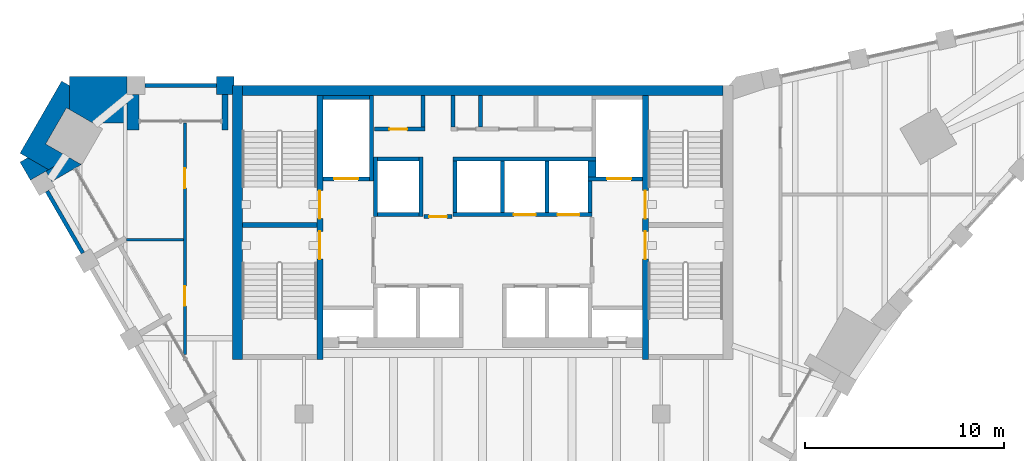
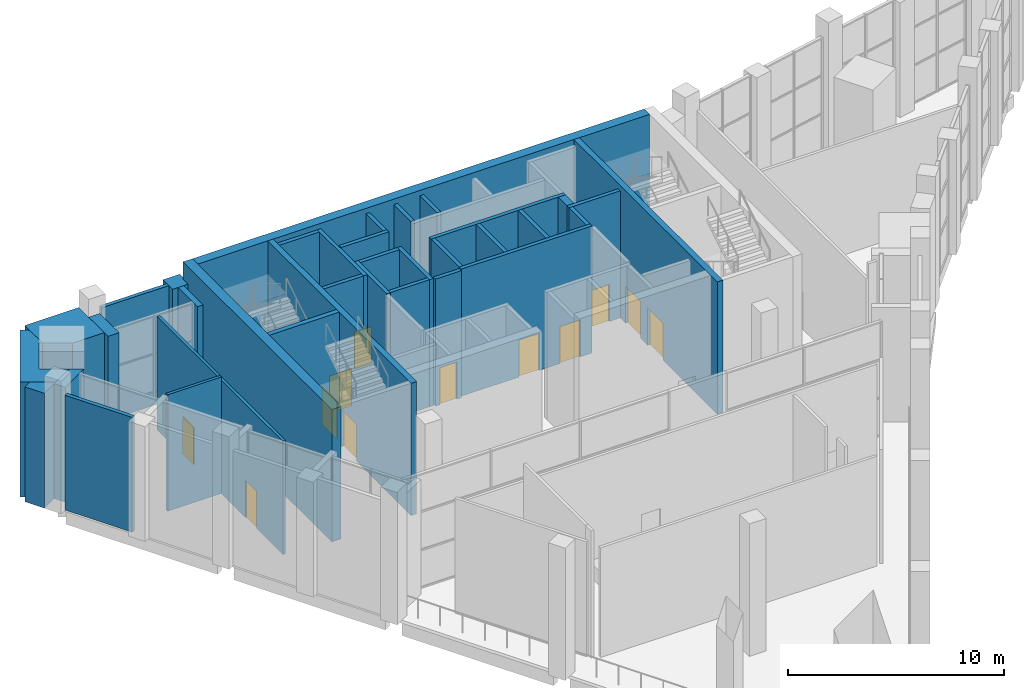
# One storey, part 10 of 14: 36 walls, 12 doors, 12 openings.
"""IFC4 building model written with IfcOpenShell, lengths in metres."""

from ifc_helpers import new_model, si_unit, direction, frame, frame_2d, origin, place, context, subcontext, project, spatial, polyline, rectangle, outline, extrude, material, layer, layer_set, type_object, element, fill, save


model = new_model("IFC4")

# Units and contexts
model_context = context("Model", 3, precision=1e-05, world=origin(), true_north=direction((0.0, 1.0)))
body_context = subcontext(model_context, "Body", "Model", "MODEL_VIEW")
ifc_project = project(units=[si_unit("LENGTHUNIT", "METRE"), si_unit("AREAUNIT", "SQUARE_METRE"), si_unit("VOLUMEUNIT", "CUBIC_METRE"), si_unit("PLANEANGLEUNIT", "RADIAN"), si_unit("MASSUNIT", "GRAM", prefix="KILO")], contexts=[model_context])

# Site, building, storey
site_placement = place(None, origin())
site = spatial("IfcSite", under=ifc_project, at=site_placement, CompositionType="ELEMENT")
building_placement = place(site_placement, origin())
building = spatial("IfcBuilding", under=site, at=building_placement, Name="Calabash Gate Tower", CompositionType="ELEMENT")
storey_placement = place(building_placement, frame((0.0, 0.0, 295.0)))
storey = spatial("IfcBuildingStorey", under=building, at=storey_placement, Name="L71", CompositionType="ELEMENT", Elevation=295.0)

# Walls
ifc_material_1 = material(Name="Terracotta brick masonry, exposed face", Category="masonry")
ifc_layer_1 = layer(ifc_material_1, 2.35009765625)
ifc_layer_set_1 = layer_set([ifc_layer_1], Name="Brick corner mass wall 2350")
wall_type_1 = type_object("IfcWallType", Name="Brick corner mass wall 2350", PredefinedType="SOLIDWALL", material=ifc_layer_set_1)
wall_1_placement = place(storey_placement, origin())
element("IfcWall", 1, at=wall_1_placement, inside=storey, type_object=wall_type_1, Name="Brick corner pier L71 2a", PredefinedType="SOLIDWALL", context=body_context, shape_type="SweptSolid", body=[
    extrude(outline(polyline([(-19.6171875, 17.152587890625), (-17.915771484375, 17.152587890625), (-17.915771484375, 18.60302734375), (-17.916015625, 18.60302734375), (-17.916015625, 19.50244140625), (-20.812744140625, 19.50244140625), (-20.812744140625, 17.8427734375), (-19.6171875, 17.152587890625)])), origin(), (0.0, 0.0, 1.0), 6.5),
])
wall_2_placement = place(storey_placement, origin())
element("IfcWall", 2, at=wall_2_placement, inside=storey, type_object=wall_type_1, Name="Brick corner pier L71 2b", PredefinedType="SOLIDWALL", context=body_context, shape_type="SweptSolid", body=[
    extrude(outline(polyline([(-20.957275390625, 17.92626953125), (-20.812744140625, 17.8427734375), (-20.812744140625, 19.052490234375), (-21.202392578125, 19.277587890625), (-23.301025390625, 15.64306640625), (-21.862548828125, 14.8125), (-20.813232421875, 15.418212890625), (-22.00732421875, 16.107666015625), (-20.957275390625, 17.92626953125)])), origin(), (0.0, 0.0, 1.0), 6.5),
])
wall_3_placement = place(storey_placement, origin())
element("IfcWall", 3, at=wall_3_placement, inside=storey, type_object=wall_type_1, Name="Brick corner pier L71 2c", PredefinedType="SOLIDWALL", context=body_context, shape_type="SweptSolid", body=[
    extrude(outline(polyline([(-21.997314453125, 14.734619140625), (-21.862548828125, 14.8125), (-22.9111328125, 15.41796875), (-23.301025390625, 15.19287109375), (-22.776611328125, 14.28466796875), (-21.997314453125, 14.734619140625), (-21.997314453125, 14.734619140625)])), origin(), (0.0, 0.0, 1.0), 6.5),
])
ifc_material_2 = material(Name="Terracotta brick masonry, exposed face", Category="masonry")
ifc_layer_2 = layer(ifc_material_2, 0.89990234375)
ifc_layer_set_2 = layer_set([ifc_layer_2], Name="Brick end wall 900")
wall_type_2 = type_object("IfcWallType", Name="Brick end wall 900", PredefinedType="SOLIDWALL", material=ifc_layer_set_2)
wall_4_placement = place(storey_placement, origin())
element("IfcWall", 4, at=wall_4_placement, inside=storey, type_object=wall_type_2, Name="Brick pier L71 N6.5", PredefinedType="SOLIDWALL", context=body_context, shape_type="SweptSolid", body=[
    extrude(outline(polyline([(-12.515625, 19.052490234375), (-12.515625, 19.50244140625), (-13.415771484375, 19.50244140625), (-13.415771484375, 18.6025390625), (-12.60009765625, 18.6025390625), (-12.60009765625, 19.052490234375), (-12.515625, 19.052490234375)])), origin(), (0.0, 0.0, 1.0), 6.5),
])
ifc_material_3 = material(Name="Terracotta brick masonry, exposed face", Category="masonry")
ifc_layer_3 = layer(ifc_material_3, 0.300048828125)
ifc_layer_set_3 = layer_set([ifc_layer_3], Name="Brick loggia cheek wall 300")
wall_type_3 = type_object("IfcWallType", Name="Brick loggia cheek wall 300", PredefinedType="SOLIDWALL", material=ifc_layer_set_3)
wall_5_placement = place(storey_placement, origin())
element("IfcWall", 5, at=wall_5_placement, inside=storey, type_object=wall_type_3, Name="Loggia cheek L71 SW0.0", PredefinedType="SOLIDWALL", context=body_context, shape_type="SweptSolid", body=[
    extrude(outline(polyline([(-21.9970703125, 14.73486328125), (-21.697265625, 14.215087890625), (-20.21337890625, 15.07177734375), (-20.813232421875, 15.418212890625), (-21.9970703125, 14.73486328125)])), origin(), (0.0, 0.0, 1.0), 6.5),
])
wall_6_placement = place(storey_placement, origin())
element("IfcWall", 6, at=wall_6_placement, inside=storey, type_object=wall_type_3, Name="Loggia cheek L71 N6.5", PredefinedType="SOLIDWALL", context=body_context, shape_type="SweptSolid", body=[
    extrude(outline(polyline([(-12.815673828125, 16.802490234375), (-12.815673828125, 18.6025390625), (-13.11572265625, 18.6025390625), (-13.11572265625, 16.802490234375), (-12.815673828125, 16.802490234375)])), origin(), (0.0, 0.0, 1.0), 6.5),
])
wall_7_placement = place(storey_placement, origin())
element("IfcWall", 7, at=wall_7_placement, inside=storey, type_object=wall_type_3, Name="Loggia cheek L71 N6.6", PredefinedType="SOLIDWALL", context=body_context, shape_type="SweptSolid", body=[
    extrude(outline(polyline([(-17.915771484375, 18.6025390625), (-17.915771484375, 16.802490234375), (-17.315673828125, 16.802490234375), (-17.315673828125, 18.6025390625), (-17.915771484375, 18.6025390625)])), origin(), (0.0, 0.0, 1.0), 6.5),
])
ifc_material_4 = material(Name="Gypsum board on steel studs, mineral wool", Category="steel")
ifc_layer_4 = layer(ifc_material_4, 0.199951171875)
ifc_layer_set_4 = layer_set([ifc_layer_4], Name="Core partition 200 gypsum board")
wall_type_4 = type_object("IfcWallType", Name="Core partition 200 gypsum board", PredefinedType="PARTITIONING", material=ifc_layer_set_4)
for number, where, z_axis, x_axis, name in (
    (8, (-3.0, 16.95263671875, 0.0), (0.0, 0.0, 1.0), (0.0, 1.0, 0.0), "Core partition"),
    (9, (-1.5, 16.95263671875, 0.0), (0.0, 0.0, 1.0), (0.0, 1.0, 0.0), "Core partition"),
    (10, (-0.10009765625, 16.95263671875, 0.0), (0.0, 0.0, 1.0), (0.0, 1.0, 0.0), "Core partition"),
):
    element("IfcWall", number, at=place(storey_placement, frame(where, z_axis=z_axis, x_axis=x_axis)), inside=storey, type_object=wall_type_4, Name=name, PredefinedType="PARTITIONING", context=body_context, shape_type="SweptSolid", body=[
        extrude(rectangle(XDim=1.599853515625, YDim=0.199951171875, at=frame_2d((0.7998046875, 0.0))), origin(), (0.0, 0.0, 1.0), 7.199951171875),
    ])
ifc_material_5 = material(Name="Concrete C60/75", Category="concrete")
ifc_layer_5 = layer(ifc_material_5, 0.25)
ifc_layer_set_5 = layer_set([ifc_layer_5], Name="Core wall 250 Concrete C60/75")
wall_type_5 = type_object("IfcWallType", Name="Core wall 250 Concrete C60/75", PredefinedType="SHEAR", material=ifc_layer_set_5)
wall_8_placement = place(storey_placement, frame((-12.10009765625, 12.027587890625, 0.0), z_axis=(0.0, 0.0, 1.0), x_axis=(1.0, 0.0, 0.0)))
element("IfcWall", 11, at=wall_8_placement, inside=storey, type_object=wall_type_5, Name="Core wall Z5-MIDW L71", PredefinedType="SHEAR", context=body_context, shape_type="SweptSolid", body=[
    extrude(rectangle(XDim=3.75, YDim=0.25, at=frame_2d((1.875, 0.0))), origin(), (0.0, 0.0, 1.0), 7.5),
])

# Wall, openings, doors
ifc_material_6 = material(Name="Concrete C60/75", Category="concrete")
ifc_layer_6 = layer(ifc_material_6, 0.300048828125)
ifc_layer_set_6 = layer_set([ifc_layer_6], Name="Core wall 300 Concrete C60/75")
wall_type_6 = type_object("IfcWallType", Name="Core wall 300 Concrete C60/75", PredefinedType="SHEAR", material=ifc_layer_set_6)
wall_9_placement = place(storey_placement, frame((-8.199951171875, 5.252685546875, 0.0), z_axis=(0.0, 0.0, 1.0), x_axis=(0.0, 1.0, 0.0)))
wall_9 = element("IfcWall", 12, at=wall_9_placement, inside=storey, type_object=wall_type_6, Name="Core wall Z5-PARTW L71", PredefinedType="SHEAR", context=body_context, shape_type="SweptSolid", body=[
    extrude(rectangle(XDim=13.2998046875, YDim=0.300048828125, at=frame_2d((6.64990234375, 0.0))), origin(), (0.0, 0.0, 1.0), 7.5),
])
opening_1_placement = place(wall_9_placement, frame((7.10009765625, 0.0, 0.0)))
opening_1 = element("IfcOpeningElement", 13, at=opening_1_placement, cuts=wall_9, Name="Opening L71-003", PredefinedType="OPENING", context=body_context, shape_type="SweptSolid", body=[
    extrude(rectangle(XDim=1.39990234375, YDim=2.10009765625, at=frame_2d((0.699951171875, 1.050048828125))), frame((0.0, 0.159912109375, 0.0), z_axis=(0.0, -1.0, 0.0), x_axis=(1.0, 0.0, 0.0)), (0.0, 0.0, 1.0), 0.320068359375),
])
opening_2_placement = place(wall_9_placement, frame((5.050048828125, 0.0, 0.0)))
opening_2 = element("IfcOpeningElement", 14, at=opening_2_placement, cuts=wall_9, Name="Opening L71-004", PredefinedType="OPENING", context=body_context, shape_type="SweptSolid", body=[
    extrude(rectangle(XDim=1.39990234375, YDim=2.10009765625, at=frame_2d((0.699951171875, 1.050048828125))), frame((0.0, 0.159912109375, 0.0), z_axis=(0.0, -1.0, 0.0), x_axis=(1.0, 0.0, 0.0)), (0.0, 0.0, 1.0), 0.320068359375),
])
ifc_material_7 = material(Name="Steel fire door set with fire-resisting glazing", Category="steel")
door_type_1 = type_object("IfcDoorType", Name="Fire door D05 1400x2100 FD90", OperationType="NOTDEFINED", PredefinedType="DOOR", material=ifc_material_7)
door_1_placement = place(opening_1_placement, origin())
door_1 = element("IfcDoor", 15, at=door_1_placement, inside=storey, type_object=door_type_1, Name="Exit stair door ST1", OperationType="SINGLE_SWING_LEFT", OverallHeight=2.10009765625, OverallWidth=1.39990234375, PredefinedType="DOOR", context=body_context, shape_type="SweptSolid", body=[
    extrude(rectangle(XDim=1.39990234375, YDim=2.10009765625, at=frame_2d((0.699951171875, 1.050048828125))), frame((0.0, 0.02490234375, 0.0), z_axis=(0.0, -1.0, 0.0), x_axis=(1.0, 0.0, 0.0)), (0.0, 0.0, 1.0), 0.050048828125),
])
fill(opening_1, door_1)
door_2_placement = place(opening_2_placement, origin())
door_2 = element("IfcDoor", 16, at=door_2_placement, inside=storey, type_object=door_type_1, Name="Exit stair door ST2", OperationType="SINGLE_SWING_LEFT", OverallHeight=2.10009765625, OverallWidth=1.39990234375, PredefinedType="DOOR", context=body_context, shape_type="SweptSolid", body=[
    extrude(rectangle(XDim=1.39990234375, YDim=2.10009765625, at=frame_2d((0.699951171875, 1.050048828125))), frame((0.0, 0.02490234375, 0.0), z_axis=(0.0, -1.0, 0.0), x_axis=(1.0, 0.0, 0.0)), (0.0, 0.0, 1.0), 0.050048828125),
])
fill(opening_2, door_2)

wall_10_placement = place(storey_placement, frame((8.199951171875, 5.252685546875, 0.0), z_axis=(0.0, 0.0, 1.0), x_axis=(0.0, 1.0, 0.0)))
wall_10 = element("IfcWall", 17, at=wall_10_placement, inside=storey, type_object=wall_type_6, Name="Core wall Z5-PARTE L71", PredefinedType="SHEAR", context=body_context, shape_type="SweptSolid", body=[
    extrude(rectangle(XDim=13.2998046875, YDim=0.300048828125, at=frame_2d((6.64990234375, 0.0))), origin(), (0.0, 0.0, 1.0), 7.5),
])
opening_3_placement = place(wall_10_placement, frame((7.10009765625, 0.0, 0.0)))
opening_3 = element("IfcOpeningElement", 18, at=opening_3_placement, cuts=wall_10, Name="Opening L71-005", PredefinedType="OPENING", context=body_context, shape_type="SweptSolid", body=[
    extrude(rectangle(XDim=1.39990234375, YDim=2.10009765625, at=frame_2d((0.699951171875, 1.050048828125))), frame((0.0, 0.159912109375, 0.0), z_axis=(0.0, -1.0, 0.0), x_axis=(1.0, 0.0, 0.0)), (0.0, 0.0, 1.0), 0.320068359375),
])
opening_4_placement = place(wall_10_placement, frame((5.050048828125, 0.0, 0.0)))
opening_4 = element("IfcOpeningElement", 19, at=opening_4_placement, cuts=wall_10, Name="Opening L71-006", PredefinedType="OPENING", context=body_context, shape_type="SweptSolid", body=[
    extrude(rectangle(XDim=1.39990234375, YDim=2.10009765625, at=frame_2d((0.699951171875, 1.050048828125))), frame((0.0, 0.159912109375, 0.0), z_axis=(0.0, -1.0, 0.0), x_axis=(1.0, 0.0, 0.0)), (0.0, 0.0, 1.0), 0.320068359375),
])
door_3_placement = place(opening_3_placement, origin())
door_3 = element("IfcDoor", 20, at=door_3_placement, inside=storey, type_object=door_type_1, Name="Exit stair door ST3", OperationType="SINGLE_SWING_RIGHT", OverallHeight=2.10009765625, OverallWidth=1.39990234375, PredefinedType="DOOR", context=body_context, shape_type="SweptSolid", body=[
    extrude(rectangle(XDim=1.39990234375, YDim=2.10009765625, at=frame_2d((0.699951171875, 1.050048828125))), frame((0.0, 0.02490234375, 0.0), z_axis=(0.0, -1.0, 0.0), x_axis=(1.0, 0.0, 0.0)), (0.0, 0.0, 1.0), 0.050048828125),
])
fill(opening_3, door_3)
door_4_placement = place(opening_4_placement, origin())
door_4 = element("IfcDoor", 21, at=door_4_placement, inside=storey, type_object=door_type_1, Name="Exit stair door ST4", OperationType="SINGLE_SWING_LEFT", OverallHeight=2.10009765625, OverallWidth=1.39990234375, PredefinedType="DOOR", context=body_context, shape_type="SweptSolid", body=[
    extrude(rectangle(XDim=1.39990234375, YDim=2.10009765625, at=frame_2d((0.699951171875, 1.050048828125))), frame((0.0, 0.02490234375, 0.0), z_axis=(0.0, -1.0, 0.0), x_axis=(1.0, 0.0, 0.0)), (0.0, 0.0, 1.0), 0.050048828125),
])
fill(opening_4, door_4)

# Walls
ifc_material_8 = material(Name="Concrete C60/75", Category="concrete")
ifc_layer_7 = layer(ifc_material_8, 0.5)
ifc_layer_set_7 = layer_set([ifc_layer_7], Name="Core wall 500 Concrete C60/75")
wall_type_7 = type_object("IfcWallType", Name="Core wall 500 Concrete C60/75", PredefinedType="SHEAR", material=ifc_layer_set_7)
wall_11_placement = place(storey_placement, frame((-12.10009765625, 18.802490234375, 0.0), z_axis=(0.0, 0.0, 1.0), x_axis=(1.0, 0.0, 0.0)))
element("IfcWall", 22, at=wall_11_placement, inside=storey, type_object=wall_type_7, Name="Core wall Z5-N L71", PredefinedType="SHEAR", context=body_context, shape_type="SweptSolid", body=[
    extrude(rectangle(XDim=24.2001953125, YDim=0.5, at=frame_2d((12.10009765625, 0.0))), origin(), (0.0, 0.0, 1.0), 7.5),
])
wall_12_placement = place(storey_placement, frame((-12.35009765625, 5.252685546875, 0.0), z_axis=(0.0, 0.0, 1.0), x_axis=(0.0, 1.0, 0.0)))
element("IfcWall", 23, at=wall_12_placement, inside=storey, type_object=wall_type_7, Name="Core wall Z5-COLW L71", PredefinedType="SHEAR", context=body_context, shape_type="SweptSolid", body=[
    extrude(rectangle(XDim=13.7998046875, YDim=0.5, at=frame_2d((6.89990234375, 0.0))), origin(), (0.0, 0.0, 1.0), 7.5),
])

# Wall, openings, doors
ifc_material_9 = material(Name="Gypsum board on steel studs, mineral wool", Category="steel")
ifc_layer_8 = layer(ifc_material_9, 0.14990234375)
ifc_layer_set_8 = layer_set([ifc_layer_8], Name="Partition 150 gypsum board")
wall_type_8 = type_object("IfcWallType", Name="Partition 150 gypsum board", PredefinedType="PARTITIONING", material=ifc_layer_set_8)
wall_13_placement = place(storey_placement, frame((-15.0, 5.495361328125, 0.0), z_axis=(0.0, 0.0, 1.0), x_axis=(0.0, 1.0, 0.0)))
wall_13 = element("IfcWall", 24, at=wall_13_placement, inside=storey, type_object=wall_type_8, Name="Partition", PredefinedType="PARTITIONING", context=body_context, shape_type="SweptSolid", body=[
    extrude(rectangle(XDim=11.67724609375, YDim=0.14990234375, at=frame_2d((5.838623046875, 0.0))), origin(), (0.0, 0.0, 1.0), 6.420166015625),
])
opening_5_placement = place(wall_13_placement, frame((8.388671875, 0.0, 0.0)))
opening_5 = element("IfcOpeningElement", 25, at=opening_5_placement, cuts=wall_13, Name="Opening L71-016", PredefinedType="OPENING", context=body_context, shape_type="SweptSolid", body=[
    extrude(rectangle(XDim=1.0, YDim=2.10009765625, at=frame_2d((0.5, 1.050048828125))), frame((0.0, 0.0849609375, 0.0), z_axis=(0.0, -1.0, 0.0), x_axis=(1.0, 0.0, 0.0)), (0.0, 0.0, 1.0), 0.169921875),
])
opening_6_placement = place(wall_13_placement, frame((2.457275390625, 0.0, 0.0)))
opening_6 = element("IfcOpeningElement", 26, at=opening_6_placement, cuts=wall_13, Name="Opening L71-017", PredefinedType="OPENING", context=body_context, shape_type="SweptSolid", body=[
    extrude(rectangle(XDim=1.0, YDim=2.10009765625, at=frame_2d((0.5, 1.050048828125))), frame((0.0, 0.0849609375, 0.0), z_axis=(0.0, -1.0, 0.0), x_axis=(1.0, 0.0, 0.0)), (0.0, 0.0, 1.0), 0.169921875),
])
ifc_material_10 = material(Name="Steel fire door set with fire-resisting glazing", Category="steel")
door_type_2 = type_object("IfcDoorType", Name="Fire door D11 1000x2100 FD60", OperationType="NOTDEFINED", PredefinedType="DOOR", material=ifc_material_10)
door_5_placement = place(opening_5_placement, origin())
door_5 = element("IfcDoor", 27, at=door_5_placement, inside=storey, type_object=door_type_2, Name="Event Room door", OperationType="SINGLE_SWING_LEFT", OverallHeight=2.10009765625, OverallWidth=1.0, PredefinedType="DOOR", context=body_context, shape_type="SweptSolid", body=[
    extrude(rectangle(XDim=1.0, YDim=2.10009765625, at=frame_2d((0.5, 1.050048828125))), frame((0.0, 0.02490234375, 0.0), z_axis=(0.0, -1.0, 0.0), x_axis=(1.0, 0.0, 0.0)), (0.0, 0.0, 1.0), 0.050048828125),
])
fill(opening_5, door_5)
door_6_placement = place(opening_6_placement, origin())
door_6 = element("IfcDoor", 28, at=door_6_placement, inside=storey, type_object=door_type_2, Name="Event Room door", OperationType="SINGLE_SWING_RIGHT", OverallHeight=2.10009765625, OverallWidth=1.0, PredefinedType="DOOR", context=body_context, shape_type="SweptSolid", body=[
    extrude(rectangle(XDim=1.0, YDim=2.10009765625, at=frame_2d((0.5, 1.050048828125))), frame((0.0, 0.02490234375, 0.0), z_axis=(0.0, -1.0, 0.0), x_axis=(1.0, 0.0, 0.0)), (0.0, 0.0, 1.0), 0.050048828125),
])
fill(opening_6, door_6)

# Wall
wall_14_placement = place(storey_placement, frame((-17.9462890625, 11.283935546875, 0.0), z_axis=(0.0, 0.0, 1.0), x_axis=(1.0, 0.0, 0.0)))
element("IfcWall", 29, at=wall_14_placement, inside=storey, type_object=wall_type_8, Name="Partition", PredefinedType="PARTITIONING", context=body_context, shape_type="SweptSolid", body=[
    extrude(rectangle(XDim=2.871337890625, YDim=0.14990234375, at=frame_2d((1.435546875, 0.0))), origin(), (0.0, 0.0, 1.0), 6.597900390625),
])

# Wall, opening, door
ifc_material_11 = material(Name="Concrete C40/50", Category="concrete")
ifc_layer_9 = layer(ifc_material_11, 0.199951171875)
ifc_layer_set_9 = layer_set([ifc_layer_9], Name="Shaft wall 200 Concrete C40/50")
wall_type_9 = type_object("IfcWallType", Name="Shaft wall 200 Concrete C40/50", PredefinedType="SOLIDWALL", material=ifc_layer_set_9)
wall_15_placement = place(storey_placement, frame((-2.949951171875, 12.45263671875, 0.0), z_axis=(0.0, 0.0, 1.0), x_axis=(1.0, 0.0, 0.0)))
wall_15 = element("IfcWall", 30, at=wall_15_placement, inside=storey, type_object=wall_type_9, Name="Shaft wall", PredefinedType="SOLIDWALL", context=body_context, shape_type="SweptSolid", body=[
    extrude(rectangle(XDim=1.39990234375, YDim=0.199951171875, at=frame_2d((0.699951171875, 0.0))), origin(), (0.0, 0.0, 1.0), 7.199951171875),
])
opening_7_placement = place(wall_15_placement, frame((0.25, 0.0, 0.0)))
opening_7 = element("IfcOpeningElement", 31, at=opening_7_placement, cuts=wall_15, Name="Opening L71-007", PredefinedType="OPENING", context=body_context, shape_type="SweptSolid", body=[
    extrude(rectangle(XDim=0.89990234375, YDim=2.10009765625, at=frame_2d((0.449951171875, 1.050048828125))), frame((0.0, 0.10986328125, 0.0), z_axis=(0.0, -1.0, 0.0), x_axis=(1.0, 0.0, 0.0)), (0.0, 0.0, 1.0), 0.219970703125),
])
ifc_material_12 = material(Name="Steel fire door set with fire-resisting glazing", Category="steel")
door_type_3 = type_object("IfcDoorType", Name="Fire door D06 900x2100 FD60", OperationType="NOTDEFINED", PredefinedType="DOOR", material=ifc_material_12)
door_7_placement = place(opening_7_placement, origin())
door_7 = element("IfcDoor", 32, at=door_7_placement, inside=storey, type_object=door_type_3, Name="Service Corridor door", OperationType="SINGLE_SWING_RIGHT", OverallHeight=2.10009765625, OverallWidth=0.89990234375, PredefinedType="DOOR", context=body_context, shape_type="SweptSolid", body=[
    extrude(rectangle(XDim=0.89990234375, YDim=2.10009765625, at=frame_2d((0.449951171875, 1.050048828125))), frame((0.0, 0.02490234375, 0.0), z_axis=(0.0, -1.0, 0.0), x_axis=(1.0, 0.0, 0.0)), (0.0, 0.0, 1.0), 0.050048828125),
])
fill(opening_7, door_7)

# Walls
wall_16_placement = place(storey_placement, frame((-5.39990234375, 12.45263671875, 0.0), z_axis=(0.0, 0.0, 1.0), x_axis=(0.0, 1.0, 0.0)))
element("IfcWall", 33, at=wall_16_placement, inside=storey, type_object=wall_type_9, Name="Shaft wall", PredefinedType="SOLIDWALL", context=body_context, shape_type="SweptSolid", body=[
    extrude(rectangle(XDim=3.0, YDim=0.199951171875, at=frame_2d((1.5, 0.0))), origin(), (0.0, 0.0, 1.0), 7.199951171875),
])
wall_17_placement = place(storey_placement, frame((-5.300048828125, 12.552490234375, 0.0), z_axis=(0.0, 0.0, 1.0), x_axis=(1.0, 0.0, 0.0)))
element("IfcWall", 34, at=wall_17_placement, inside=storey, type_object=wall_type_9, Name="Shaft wall", PredefinedType="SOLIDWALL", context=body_context, shape_type="SweptSolid", body=[
    extrude(rectangle(XDim=2.10009765625, YDim=0.199951171875, at=frame_2d((1.050048828125, 0.0))), origin(), (0.0, 0.0, 1.0), 7.199951171875),
])
wall_18_placement = place(storey_placement, frame((-3.10009765625, 12.45263671875, 0.0), z_axis=(0.0, 0.0, 1.0), x_axis=(0.0, 1.0, 0.0)))
element("IfcWall", 35, at=wall_18_placement, inside=storey, type_object=wall_type_9, Name="Shaft wall", PredefinedType="SOLIDWALL", context=body_context, shape_type="SweptSolid", body=[
    extrude(rectangle(XDim=3.0, YDim=0.199951171875, at=frame_2d((1.5, 0.0))), origin(), (0.0, 0.0, 1.0), 7.199951171875),
])

# Wall, openings, doors
wall_19_placement = place(storey_placement, frame((-1.5, 12.552490234375, 0.0), z_axis=(0.0, 0.0, 1.0), x_axis=(1.0, 0.0, 0.0)))
wall_19 = element("IfcWall", 36, at=wall_19_placement, inside=storey, type_object=wall_type_9, Name="Shaft wall", PredefinedType="SOLIDWALL", context=body_context, shape_type="SweptSolid", body=[
    extrude(rectangle(XDim=7.0, YDim=0.199951171875, at=frame_2d((3.5, 0.0))), origin(), (0.0, 0.0, 1.0), 7.199951171875),
])
opening_8_placement = place(wall_19_placement, frame((3.074951171875, 0.0, 0.0)))
opening_8 = element("IfcOpeningElement", 37, at=opening_8_placement, cuts=wall_19, Name="Opening LD-HR5", PredefinedType="OPENING", context=body_context, shape_type="SweptSolid", body=[
    extrude(rectangle(XDim=1.10009765625, YDim=2.10009765625, at=frame_2d((0.550048828125, 1.050048828125))), frame((0.0, 0.10986328125, 0.0), z_axis=(0.0, -1.0, 0.0), x_axis=(1.0, 0.0, 0.0)), (0.0, 0.0, 1.0), 0.219970703125),
])
opening_9_placement = place(wall_19_placement, frame((5.27490234375, 0.0, 0.0)))
opening_9 = element("IfcOpeningElement", 38, at=opening_9_placement, cuts=wall_19, Name="Opening LD-HR6", PredefinedType="OPENING", context=body_context, shape_type="SweptSolid", body=[
    extrude(rectangle(XDim=1.10009765625, YDim=2.10009765625, at=frame_2d((0.550048828125, 1.050048828125))), frame((0.0, 0.10986328125, 0.0), z_axis=(0.0, -1.0, 0.0), x_axis=(1.0, 0.0, 0.0)), (0.0, 0.0, 1.0), 0.219970703125),
])
ifc_material_13 = material(Name="Stainless steel sliding door leaves", Category="steel")
door_type_4 = type_object("IfcDoorType", Name="Lift landing door LS1 1100x2100 FD90", OperationType="DOUBLE_DOOR_SLIDING", PredefinedType="DOOR", material=ifc_material_13)
door_8_placement = place(opening_8_placement, origin())
door_8 = element("IfcDoor", 39, at=door_8_placement, inside=storey, type_object=door_type_4, Name="Lift landing door HR5", OperationType="DOUBLE_DOOR_SLIDING", OverallHeight=2.10009765625, OverallWidth=1.10009765625, PredefinedType="DOOR", context=body_context, shape_type="SweptSolid", body=[
    extrude(rectangle(XDim=1.10009765625, YDim=2.10009765625, at=frame_2d((0.550048828125, 1.050048828125))), frame((0.0, 0.02490234375, 0.0), z_axis=(0.0, -1.0, 0.0), x_axis=(1.0, 0.0, 0.0)), (0.0, 0.0, 1.0), 0.050048828125),
])
fill(opening_8, door_8)
door_9_placement = place(opening_9_placement, origin())
door_9 = element("IfcDoor", 40, at=door_9_placement, inside=storey, type_object=door_type_4, Name="Lift landing door HR6", OperationType="DOUBLE_DOOR_SLIDING", OverallHeight=2.10009765625, OverallWidth=1.10009765625, PredefinedType="DOOR", context=body_context, shape_type="SweptSolid", body=[
    extrude(rectangle(XDim=1.10009765625, YDim=2.10009765625, at=frame_2d((0.550048828125, 1.050048828125))), frame((0.0, 0.02490234375, 0.0), z_axis=(0.0, -1.0, 0.0), x_axis=(1.0, 0.0, 0.0)), (0.0, 0.0, 1.0), 0.050048828125),
])
fill(opening_9, door_9)

# Walls
for number, where, z_axis, x_axis, name in (
    (41, (-1.39990234375, 12.652587890625, 0.0), (0.0, 0.0, 1.0), (0.0, 1.0, 0.0), "Shaft wall"),
    (42, (1.0, 12.652587890625, 0.0), (0.0, 0.0, 1.0), (0.0, 1.0, 0.0), "Shaft wall"),
    (43, (3.25, 12.652587890625, 0.0), (0.0, 0.0, 1.0), (0.0, 1.0, 0.0), "Shaft wall"),
):
    element("IfcWall", number, at=place(storey_placement, frame(where, z_axis=z_axis, x_axis=x_axis)), inside=storey, type_object=wall_type_9, Name=name, PredefinedType="SOLIDWALL", context=body_context, shape_type="SweptSolid", body=[
        extrude(rectangle(XDim=2.60009765625, YDim=0.199951171875, at=frame_2d((1.300048828125, 0.0))), origin(), (0.0, 0.0, 1.0), 7.199951171875),
    ])
wall_20_placement = place(storey_placement, frame((5.39990234375, 12.652587890625, 0.0), z_axis=(0.0, 0.0, 1.0), x_axis=(0.0, 1.0, 0.0)))
element("IfcWall", 44, at=wall_20_placement, inside=storey, type_object=wall_type_9, Name="Shaft wall", PredefinedType="SOLIDWALL", context=body_context, shape_type="SweptSolid", body=[
    extrude(rectangle(XDim=1.60009765625, YDim=0.199951171875, at=frame_2d((0.800048828125, 0.0))), origin(), (0.0, 0.0, 1.0), 7.199951171875),
])

# Wall, opening, door
wall_21_placement = place(storey_placement, frame((-8.050048828125, 14.3525390625, 0.0), z_axis=(0.0, 0.0, 1.0), x_axis=(1.0, 0.0, 0.0)))
wall_21 = element("IfcWall", 45, at=wall_21_placement, inside=storey, type_object=wall_type_9, Name="Shaft wall", PredefinedType="SOLIDWALL", context=body_context, shape_type="SweptSolid", body=[
    extrude(rectangle(XDim=2.35009765625, YDim=0.199951171875, at=frame_2d((1.175048828125, 0.0))), origin(), (0.0, 0.0, 1.0), 7.199951171875),
])
opening_10_placement = place(wall_21_placement, frame((0.574951171875, 0.0, 0.0)))
opening_10 = element("IfcOpeningElement", 46, at=opening_10_placement, cuts=wall_21, Name="Opening LD-FF1", PredefinedType="OPENING", context=body_context, shape_type="SweptSolid", body=[
    extrude(rectangle(XDim=1.199951171875, YDim=2.10009765625, at=frame_2d((0.60009765625, 1.050048828125))), frame((0.0, 0.10986328125, 0.0), z_axis=(0.0, -1.0, 0.0), x_axis=(1.0, 0.0, 0.0)), (0.0, 0.0, 1.0), 0.219970703125),
])
ifc_material_14 = material(Name="Stainless steel sliding door leaves", Category="steel")
door_type_5 = type_object("IfcDoorType", Name="Lift landing door LS3 1200x2100 FD90", OperationType="DOUBLE_DOOR_SLIDING", PredefinedType="DOOR", material=ifc_material_14)
door_10_placement = place(opening_10_placement, origin())
door_10 = element("IfcDoor", 47, at=door_10_placement, inside=storey, type_object=door_type_5, Name="Lift landing door FF1", OperationType="DOUBLE_DOOR_SLIDING", OverallHeight=2.10009765625, OverallWidth=1.199951171875, PredefinedType="DOOR", context=body_context, shape_type="SweptSolid", body=[
    extrude(rectangle(XDim=1.199951171875, YDim=2.10009765625, at=frame_2d((0.60009765625, 1.050048828125))), frame((0.0, 0.02490234375, 0.0), z_axis=(0.0, -1.0, 0.0), x_axis=(1.0, 0.0, 0.0)), (0.0, 0.0, 1.0), 0.050048828125),
])
fill(opening_10, door_10)

# Wall
wall_22_placement = place(storey_placement, frame((-5.60009765625, 14.252685546875, 0.0), z_axis=(0.0, 0.0, 1.0), x_axis=(0.0, 1.0, 0.0)))
element("IfcWall", 48, at=wall_22_placement, inside=storey, type_object=wall_type_9, Name="Shaft wall", PredefinedType="SOLIDWALL", context=body_context, shape_type="SweptSolid", body=[
    extrude(rectangle(XDim=4.2998046875, YDim=0.199951171875, at=frame_2d((2.14990234375, 0.0))), origin(), (0.0, 0.0, 1.0), 7.199951171875),
])

# Wall, opening, door
wall_23_placement = place(storey_placement, frame((5.300048828125, 14.3525390625, 0.0), z_axis=(0.0, 0.0, 1.0), x_axis=(1.0, 0.0, 0.0)))
wall_23 = element("IfcWall", 49, at=wall_23_placement, inside=storey, type_object=wall_type_9, Name="Shaft wall", PredefinedType="SOLIDWALL", context=body_context, shape_type="SweptSolid", body=[
    extrude(rectangle(XDim=2.75, YDim=0.199951171875, at=frame_2d((1.375, 0.0))), origin(), (0.0, 0.0, 1.0), 7.199951171875),
])
opening_11_placement = place(wall_23_placement, frame((0.97509765625, 0.0, 0.0)))
opening_11 = element("IfcOpeningElement", 50, at=opening_11_placement, cuts=wall_23, Name="Opening LD-FF2", PredefinedType="OPENING", context=body_context, shape_type="SweptSolid", body=[
    extrude(rectangle(XDim=1.199951171875, YDim=2.10009765625, at=frame_2d((0.60009765625, 1.050048828125))), frame((0.0, 0.10986328125, 0.0), z_axis=(0.0, -1.0, 0.0), x_axis=(1.0, 0.0, 0.0)), (0.0, 0.0, 1.0), 0.219970703125),
])
door_11_placement = place(opening_11_placement, origin())
door_11 = element("IfcDoor", 51, at=door_11_placement, inside=storey, type_object=door_type_5, Name="Lift landing door FF2", OperationType="DOUBLE_DOOR_SLIDING", OverallHeight=2.10009765625, OverallWidth=1.199951171875, PredefinedType="DOOR", context=body_context, shape_type="SweptSolid", body=[
    extrude(rectangle(XDim=1.199951171875, YDim=2.10009765625, at=frame_2d((0.60009765625, 1.050048828125))), frame((0.0, 0.02490234375, 0.0), z_axis=(0.0, -1.0, 0.0), x_axis=(1.0, 0.0, 0.0)), (0.0, 0.0, 1.0), 0.050048828125),
])
fill(opening_11, door_11)

# Walls
wall_24_placement = place(storey_placement, frame((5.5, 14.45263671875, 0.0), z_axis=(0.0, 0.0, 1.0), x_axis=(0.0, 1.0, 0.0)))
element("IfcWall", 52, at=wall_24_placement, inside=storey, type_object=wall_type_9, Name="Shaft wall", PredefinedType="SOLIDWALL", context=body_context, shape_type="SweptSolid", body=[
    extrude(rectangle(XDim=0.800048828125, YDim=0.39990234375, at=frame_2d((0.39990234375, 0.0))), origin(), (0.0, 0.0, 1.0), 7.199951171875),
])
wall_25_placement = place(storey_placement, frame((-5.300048828125, 15.3525390625, 0.0), z_axis=(0.0, 0.0, 1.0), x_axis=(1.0, 0.0, 0.0)))
element("IfcWall", 53, at=wall_25_placement, inside=storey, type_object=wall_type_9, Name="Shaft wall", PredefinedType="SOLIDWALL", context=body_context, shape_type="SweptSolid", body=[
    extrude(rectangle(XDim=2.10009765625, YDim=0.199951171875, at=frame_2d((1.050048828125, 0.0))), origin(), (0.0, 0.0, 1.0), 7.199951171875),
])
wall_26_placement = place(storey_placement, frame((-1.5, 15.3525390625, 0.0), z_axis=(0.0, 0.0, 1.0), x_axis=(1.0, 0.0, 0.0)))
element("IfcWall", 54, at=wall_26_placement, inside=storey, type_object=wall_type_9, Name="Shaft wall", PredefinedType="SOLIDWALL", context=body_context, shape_type="SweptSolid", body=[
    extrude(rectangle(XDim=7.199951171875, YDim=0.199951171875, at=frame_2d((3.60009765625, 0.0))), origin(), (0.0, 0.0, 1.0), 7.199951171875),
])

# Wall, opening, door
wall_27_placement = place(storey_placement, frame((-5.449951171875, 16.8525390625, 0.0), z_axis=(0.0, 0.0, 1.0), x_axis=(1.0, 0.0, 0.0)))
wall_27 = element("IfcWall", 55, at=wall_27_placement, inside=storey, type_object=wall_type_9, Name="Shaft wall", PredefinedType="SOLIDWALL", context=body_context, shape_type="SweptSolid", body=[
    extrude(rectangle(XDim=2.550048828125, YDim=0.199951171875, at=frame_2d((1.27490234375, 0.0))), origin(), (0.0, 0.0, 1.0), 7.199951171875),
])
opening_12_placement = place(wall_27_placement, frame((0.75, 0.0, 0.0)))
opening_12 = element("IfcOpeningElement", 56, at=opening_12_placement, cuts=wall_27, Name="Opening L71-010", PredefinedType="OPENING", context=body_context, shape_type="SweptSolid", body=[
    extrude(rectangle(XDim=0.89990234375, YDim=2.10009765625, at=frame_2d((0.449951171875, 1.050048828125))), frame((0.0, 0.10986328125, 0.0), z_axis=(0.0, -1.0, 0.0), x_axis=(1.0, 0.0, 0.0)), (0.0, 0.0, 1.0), 0.219970703125),
])
door_12_placement = place(opening_12_placement, origin())
door_12 = element("IfcDoor", 57, at=door_12_placement, inside=storey, type_object=door_type_3, Name="Accessible WC door", OperationType="SINGLE_SWING_LEFT", OverallHeight=2.10009765625, OverallWidth=0.89990234375, PredefinedType="DOOR", context=body_context, shape_type="SweptSolid", body=[
    extrude(rectangle(XDim=0.89990234375, YDim=2.10009765625, at=frame_2d((0.449951171875, 1.050048828125))), frame((0.0, 0.02490234375, 0.0), z_axis=(0.0, -1.0, 0.0), x_axis=(1.0, 0.0, 0.0)), (0.0, 0.0, 1.0), 0.050048828125),
])
fill(opening_12, door_12)

# Walls
wall_28_placement = place(storey_placement, frame((-8.050048828125, 18.45263671875, 0.0), z_axis=(0.0, 0.0, 1.0), x_axis=(1.0, 0.0, 0.0)))
element("IfcWall", 58, at=wall_28_placement, inside=storey, type_object=wall_type_9, Name="Shaft wall", PredefinedType="SOLIDWALL", context=body_context, shape_type="SweptSolid", body=[
    extrude(rectangle(XDim=2.35009765625, YDim=0.199951171875, at=frame_2d((1.175048828125, 0.0))), origin(), (0.0, 0.0, 1.0), 7.199951171875),
])
ifc_material_15 = material(Name="Terracotta brick masonry, perforated", Category="masonry")
ifc_layer_10 = layer(ifc_material_15, 0.199951171875)
ifc_layer_set_10 = layer_set([ifc_layer_10], Name="Terracotta jaali screen A")
wall_type_10 = type_object("IfcWallType", Name="Terracotta jaali screen A", PredefinedType="SOLIDWALL", material=ifc_layer_set_10)
wall_29_placement = place(storey_placement, frame((-21.936767578125, 13.73046875, 0.0), z_axis=(0.0, 0.0, 1.0), x_axis=(0.499931829785, -0.866064758299, 0.0)))
element("IfcWall", 59, at=wall_29_placement, inside=storey, type_object=wall_type_10, Name="SCREEN A L71 SW0.1", PredefinedType="SOLIDWALL", context=body_context, shape_type="SweptSolid", body=[
    extrude(rectangle(XDim=3.60009765625, YDim=0.199951171875, at=frame_2d((1.800048828125, 0.0))), origin(), (0.0, 0.0, 1.0), 6.5),
])
wall_30_placement = place(storey_placement, frame((-13.415771484375, 19.052490234375, 0.0), z_axis=(0.0, 0.0, 1.0), x_axis=(-1.0, 0.0, 0.0)))
element("IfcWall", 60, at=wall_30_placement, inside=storey, type_object=wall_type_10, Name="SCREEN A L71 N6.6", PredefinedType="SOLIDWALL", context=body_context, shape_type="SweptSolid", body=[
    extrude(rectangle(XDim=3.599853515625, YDim=0.199951171875, at=frame_2d((1.7998046875, 0.0))), origin(), (0.0, 0.0, 1.0), 6.5),
])

save(model, "model.ifc")
